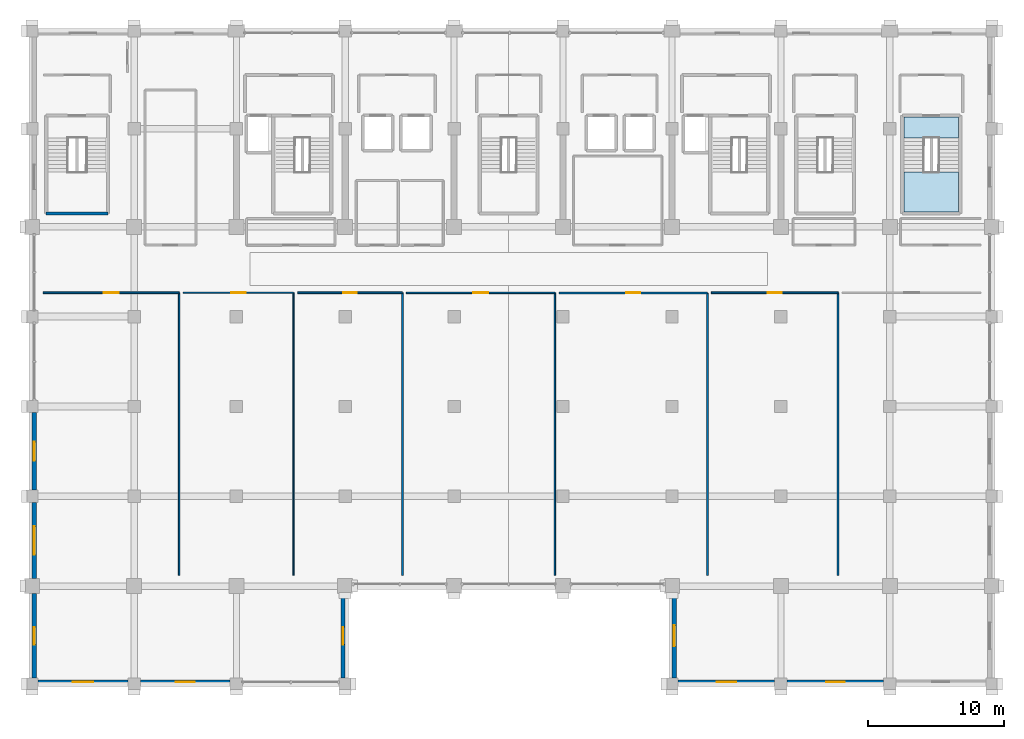
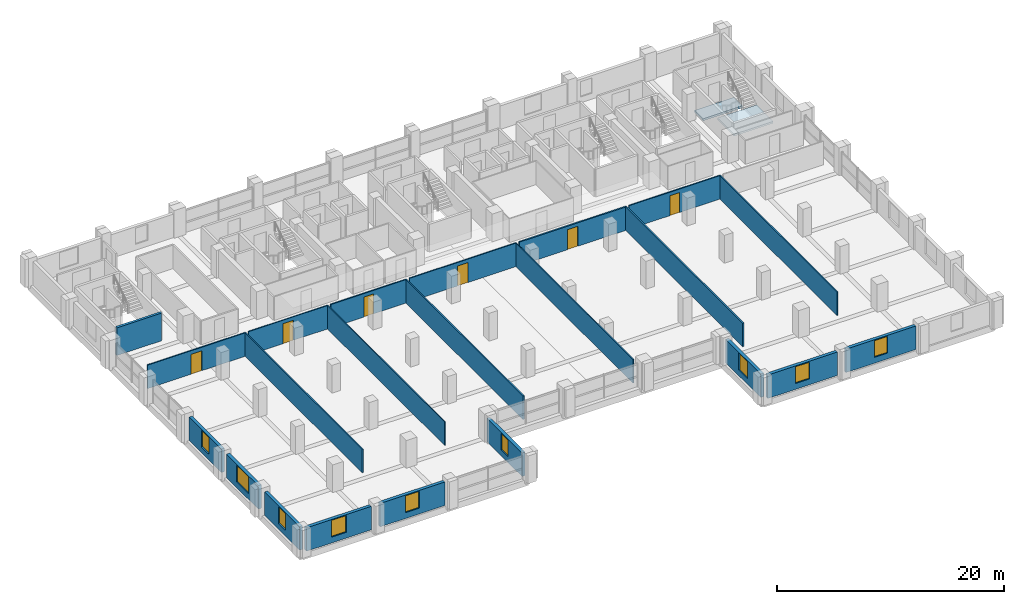
# One storey, part 16 of 21: 22 walls, 9 windows, 6 doors, 2 slabs, 15 openings, 1 element without a shape of its own.
"""IFC4 building model written with IfcOpenShell, lengths in metres."""

from ifc_helpers import new_model, si_unit, direction, frame, frame_2d, origin, place, context, subcontext, project, spatial, polyline, rectangle, outline, extrude, material, layer, layer_set, type_object, element, fill, aggregate, save


model = new_model("IFC4")

# Units and contexts
model_context = context("Model", 3, precision=1e-05, world=origin(), true_north=direction((0.0, 1.0)))
body_context = subcontext(model_context, "Body", "Model", "MODEL_VIEW")
ifc_project = project(units=[si_unit("LENGTHUNIT", "METRE"), si_unit("AREAUNIT", "SQUARE_METRE"), si_unit("VOLUMEUNIT", "CUBIC_METRE"), si_unit("PLANEANGLEUNIT", "RADIAN"), si_unit("MASSUNIT", "GRAM", prefix="KILO")], contexts=[model_context])

# Site, building, storey
site_placement = place(None, origin())
site = spatial("IfcSite", under=ifc_project, at=site_placement, CompositionType="ELEMENT")
building_placement = place(site_placement, origin())
building = spatial("IfcBuilding", under=site, at=building_placement, Name="Akrevak Sports Hall", CompositionType="ELEMENT")
storey_placement = place(building_placement, frame((0.0, 0.0, 27.550048828125)))
storey = spatial("IfcBuildingStorey", under=building, at=storey_placement, Name="L05", CompositionType="ELEMENT", Elevation=27.550048828125)

# Stair, slab
ifc_material_1 = material(Name="Concrete C40/50", Category="concrete")
stair_type = type_object("IfcStairType", Name="ARC-STR-DOG-325", PredefinedType="HALF_TURN_STAIR", material=ifc_material_1)
stair_placement = place(storey_placement, origin())
stair = element("IfcStair", 1, at=stair_placement, inside=storey, type_object=stair_type, Name="East Transfer Exit Stair ST11 (L05 to L06)", PredefinedType="HALF_TURN_STAIR")
ifc_layer_1 = layer(ifc_material_1, 0.199951171875, Name="Concrete C40/50")
ifc_layer_set_1 = layer_set([ifc_layer_1], Name="Concrete C40/50")
slab_type_1 = type_object("IfcSlabType", Name="STR-SLB-LAND-200", PredefinedType="LANDING", material=ifc_layer_set_1)
slab_1_placement = place(storey_placement, frame((0.0, 0.0, 1.425048828125)))
slab_1 = element("IfcSlab", 2, at=slab_1_placement, type_object=slab_type_1, Name="Stair ST11 Half-Landing 1 (L05)", PredefinedType="LANDING", context=body_context, shape_type="SweptSolid", body=[
    extrude(outline(polyline([(109.050048828125, 56.300048828125), (113.050048828125, 56.300048828125), (113.050048828125, 59.215087890625), (109.050048828125, 59.215087890625), (109.050048828125, 56.300048828125)])), origin(), (0.0, 0.0, 1.0), 0.199951171875),
])
aggregate(stair, [slab_1])

# Slab
ifc_layer_2 = layer(ifc_material_1, 0.219970703125, Name="Concrete C40/50")
ifc_layer_set_2 = layer_set([ifc_layer_2], Name="Concrete C40/50")
slab_type_2 = type_object("IfcSlabType", Name="STR-SLB-LAND-220", PredefinedType="LANDING", material=ifc_layer_set_2)
slab_2_placement = place(storey_placement, frame((0.0, 0.0, -0.219970703125)))
element("IfcSlab", 3, at=slab_2_placement, inside=storey, type_object=slab_type_2, Name="Stair ST11 Floor Landing (L05)", PredefinedType="LANDING", context=body_context, shape_type="SweptSolid", body=[
    extrude(outline(polyline([(109.050048828125, 61.735107421875), (113.050048828125, 61.735107421875), (113.050048828125, 63.25), (109.050048828125, 63.25), (109.050048828125, 61.735107421875)])), origin(), (0.0, 0.0, 1.0), 0.219970703125),
])

# Wall, opening, window
ifc_material_2 = material(Name="Limestone Ashlar", Category="stone")
ifc_layer_3 = layer(ifc_material_2, 0.070068359375, Name="Limestone Ashlar")
ifc_material_3 = material(Name="Mineral Wool Thermal Insulation", Category="insulation")
ifc_layer_4 = layer(ifc_material_3, 0.090087890625, Name="Mineral Wool Thermal Insulation")
ifc_layer_5 = layer(ifc_material_1, 0.159912109375, Name="Concrete C40/50")
ifc_layer_set_3 = layer_set([ifc_layer_3, ifc_layer_4, ifc_layer_5], Name="Limestone Ashlar / Mineral Wool Thermal Insulation / Concrete C40/50")
wall_type_1 = type_object("IfcWallType", Name="ARC-WL-EXT-320", PredefinedType="SOLIDWALL", material=ifc_layer_set_3)
wall_1_placement = place(storey_placement, frame((45.449951171875, 21.760009765625, 0.0), z_axis=(0.0, 0.0, 1.0), x_axis=(1.0, 0.0, 0.0)))
wall_1 = element("IfcWall", 4, at=wall_1_placement, inside=storey, type_object=wall_type_1, Name="Tower Stone Facade Wall L05-S01", PredefinedType="SOLIDWALL", context=body_context, shape_type="SweptSolid", body=[
    extrude(rectangle(XDim=6.60009765625, YDim=0.320068359375, at=frame_2d((3.300048828125, 0.0))), origin(), (0.0, 0.0, 1.0), 2.530029296875),
])
opening_1_placement = place(wall_1_placement, frame((2.550048828125, 0.0, 0.6201171875)))
opening_1 = element("IfcOpeningElement", 5, at=opening_1_placement, cuts=wall_1, Name="Opening WN-48", PredefinedType="OPENING", context=body_context, shape_type="SweptSolid", body=[
    extrude(rectangle(XDim=1.5, YDim=1.81005859375, at=frame_2d((0.75, 0.905029296875))), frame((0.0, 0.171875, 0.0), z_axis=(0.0, -1.0, 0.0), x_axis=(1.0, 0.0, 0.0)), (0.0, 0.0, 1.0), 0.343994140625),
])
ifc_material_4 = material(Name="Thermally Broken Bronze Frame & Double Low-E Glass", Category="glass")
window_type_1 = type_object("IfcWindowType", Name="ARC-WIN-SZ-1500x1810", PartitioningType="SINGLE_PANEL", PredefinedType="WINDOW", material=ifc_material_4)
window_1_placement = place(opening_1_placement, origin())
window_1 = element("IfcWindow", 6, at=window_1_placement, inside=storey, type_object=window_type_1, Name="Tower Window L05-S01", OverallHeight=1.81005859375, OverallWidth=1.5, PartitioningType="SINGLE_PANEL", PredefinedType="WINDOW", context=body_context, shape_type="SweptSolid", body=[
    extrude(rectangle(XDim=1.5, YDim=1.81005859375, at=frame_2d((0.75, 0.905029296875))), frame((0.0, 0.030029296875, 0.0), z_axis=(0.0, -1.0, 0.0), x_axis=(1.0, 0.0, 0.0)), (0.0, 0.0, 1.0), 0.06005859375),
])
fill(opening_1, window_1)

wall_2_placement = place(storey_placement, frame((52.949951171875, 21.760009765625, 0.0), z_axis=(0.0, 0.0, 1.0), x_axis=(1.0, 0.0, 0.0)))
wall_2 = element("IfcWall", 7, at=wall_2_placement, inside=storey, type_object=wall_type_1, Name="Tower Stone Facade Wall L05-S02", PredefinedType="SOLIDWALL", context=body_context, shape_type="SweptSolid", body=[
    extrude(rectangle(XDim=6.60009765625, YDim=0.320068359375, at=frame_2d((3.300048828125, 0.0))), origin(), (0.0, 0.0, 1.0), 2.530029296875),
])
opening_2_placement = place(wall_2_placement, frame((2.60009765625, 0.0, 0.6201171875)))
opening_2 = element("IfcOpeningElement", 8, at=opening_2_placement, cuts=wall_2, Name="Opening WN-49", PredefinedType="OPENING", context=body_context, shape_type="SweptSolid", body=[
    extrude(rectangle(XDim=1.39990234375, YDim=1.81005859375, at=frame_2d((0.699951171875, 0.905029296875))), frame((0.0, 0.171875, 0.0), z_axis=(0.0, -1.0, 0.0), x_axis=(1.0, 0.0, 0.0)), (0.0, 0.0, 1.0), 0.343994140625),
])
window_type_2 = type_object("IfcWindowType", Name="ARC-WIN-SZ-1400x1810", PartitioningType="SINGLE_PANEL", PredefinedType="WINDOW", material=ifc_material_4)
window_2_placement = place(opening_2_placement, origin())
window_2 = element("IfcWindow", 9, at=window_2_placement, inside=storey, type_object=window_type_2, Name="Tower Window L05-S02", OverallHeight=1.81005859375, OverallWidth=1.39990234375, PartitioningType="SINGLE_PANEL", PredefinedType="WINDOW", context=body_context, shape_type="SweptSolid", body=[
    extrude(rectangle(XDim=1.39990234375, YDim=1.81005859375, at=frame_2d((0.699951171875, 0.905029296875))), frame((0.0, 0.030029296875, 0.0), z_axis=(0.0, -1.0, 0.0), x_axis=(1.0, 0.0, 0.0)), (0.0, 0.0, 1.0), 0.06005859375),
])
fill(opening_2, window_2)

wall_3_placement = place(storey_placement, frame((67.840087890625, 22.050048828125, 0.0), z_axis=(0.0, 0.0, 1.0), x_axis=(0.0, 1.0, 0.0)))
wall_3 = element("IfcWall", 10, at=wall_3_placement, inside=storey, type_object=wall_type_1, Name="Tower Stone Facade Wall L05-E04", PredefinedType="SOLIDWALL", context=body_context, shape_type="SweptSolid", body=[
    extrude(rectangle(XDim=6.199951171875, YDim=0.320068359375, at=frame_2d((3.10009765625, 0.0))), origin(), (0.0, 0.0, 1.0), 2.530029296875),
])
opening_3_placement = place(wall_3_placement, frame((2.449951171875, 0.0, 0.6201171875)))
opening_3 = element("IfcOpeningElement", 11, at=opening_3_placement, cuts=wall_3, Name="Opening WN-12", PredefinedType="OPENING", context=body_context, shape_type="SweptSolid", body=[
    extrude(rectangle(XDim=1.300048828125, YDim=1.800048828125, at=frame_2d((0.64990234375, 0.89990234375))), frame((0.0, 0.171875, 0.0), z_axis=(0.0, -1.0, 0.0), x_axis=(1.0, 0.0, 0.0)), (0.0, 0.0, 1.0), 0.343994140625),
])
window_type_3 = type_object("IfcWindowType", Name="ARC-WIN-TW-130x180", PartitioningType="SINGLE_PANEL", PredefinedType="WINDOW", material=ifc_material_4)
window_3_placement = place(opening_3_placement, origin())
window_3 = element("IfcWindow", 12, at=window_3_placement, inside=storey, type_object=window_type_3, Name="Tower Window L05-E04", OverallHeight=1.800048828125, OverallWidth=1.300048828125, PartitioningType="SINGLE_PANEL", PredefinedType="WINDOW", context=body_context, shape_type="SweptSolid", body=[
    extrude(rectangle(XDim=1.300048828125, YDim=1.800048828125, at=frame_2d((0.64990234375, 0.89990234375))), frame((0.0, 0.030029296875, 0.0), z_axis=(0.0, -1.0, 0.0), x_axis=(1.0, 0.0, 0.0)), (0.0, 0.0, 1.0), 0.06005859375),
])
fill(opening_3, window_3)

wall_4_placement = place(storey_placement, frame((92.159912109375, 28.25, 0.0), z_axis=(0.0, 0.0, 1.0), x_axis=(0.0, -1.0, 0.0)))
wall_4 = element("IfcWall", 13, at=wall_4_placement, inside=storey, type_object=wall_type_1, Name="Tower Stone Facade Wall L05-W08", PredefinedType="SOLIDWALL", context=body_context, shape_type="SweptSolid", body=[
    extrude(rectangle(XDim=6.199951171875, YDim=0.320068359375, at=frame_2d((3.10009765625, 0.0))), origin(), (0.0, 0.0, 1.0), 2.530029296875),
])
opening_4_placement = place(wall_4_placement, frame((2.324951171875, 0.0, 0.6201171875)))
opening_4 = element("IfcOpeningElement", 14, at=opening_4_placement, cuts=wall_4, Name="Opening WN-50", PredefinedType="OPENING", context=body_context, shape_type="SweptSolid", body=[
    extrude(rectangle(XDim=1.550048828125, YDim=1.81005859375, at=frame_2d((0.77490234375, 0.905029296875))), frame((0.0, 0.171875, 0.0), z_axis=(0.0, -1.0, 0.0), x_axis=(1.0, 0.0, 0.0)), (0.0, 0.0, 1.0), 0.343994140625),
])
window_type_4 = type_object("IfcWindowType", Name="ARC-WIN-SZ-1550x1810", PartitioningType="SINGLE_PANEL", PredefinedType="WINDOW", material=ifc_material_4)
window_4_placement = place(opening_4_placement, origin())
window_4 = element("IfcWindow", 15, at=window_4_placement, inside=storey, type_object=window_type_4, Name="Tower Window L05-W08", OverallHeight=1.81005859375, OverallWidth=1.550048828125, PartitioningType="SINGLE_PANEL", PredefinedType="WINDOW", context=body_context, shape_type="SweptSolid", body=[
    extrude(rectangle(XDim=1.550048828125, YDim=1.81005859375, at=frame_2d((0.77490234375, 0.905029296875))), frame((0.0, 0.030029296875, 0.0), z_axis=(0.0, -1.0, 0.0), x_axis=(1.0, 0.0, 0.0)), (0.0, 0.0, 1.0), 0.06005859375),
])
fill(opening_4, window_4)

wall_5_placement = place(storey_placement, frame((92.449951171875, 21.760009765625, 0.0), z_axis=(0.0, 0.0, 1.0), x_axis=(1.0, 0.0, 0.0)))
wall_5 = element("IfcWall", 16, at=wall_5_placement, inside=storey, type_object=wall_type_1, Name="Tower Stone Facade Wall L05-S09", PredefinedType="SOLIDWALL", context=body_context, shape_type="SweptSolid", body=[
    extrude(rectangle(XDim=7.10009765625, YDim=0.320068359375, at=frame_2d((3.550048828125, 0.0))), origin(), (0.0, 0.0, 1.0), 2.530029296875),
])
opening_5_placement = place(wall_5_placement, frame((2.824951171875, 0.0, 0.6201171875)))
opening_5 = element("IfcOpeningElement", 17, at=opening_5_placement, cuts=wall_5, Name="Opening WN-51", PredefinedType="OPENING", context=body_context, shape_type="SweptSolid", body=[
    extrude(rectangle(XDim=1.449951171875, YDim=1.81005859375, at=frame_2d((0.72509765625, 0.905029296875))), frame((0.0, 0.171875, 0.0), z_axis=(0.0, -1.0, 0.0), x_axis=(1.0, 0.0, 0.0)), (0.0, 0.0, 1.0), 0.343994140625),
])
window_type_5 = type_object("IfcWindowType", Name="ARC-WIN-SZ-1450x1810", PartitioningType="SINGLE_PANEL", PredefinedType="WINDOW", material=ifc_material_4)
window_5_placement = place(opening_5_placement, origin())
window_5 = element("IfcWindow", 18, at=window_5_placement, inside=storey, type_object=window_type_5, Name="Tower Window L05-S09", OverallHeight=1.81005859375, OverallWidth=1.449951171875, PartitioningType="SINGLE_PANEL", PredefinedType="WINDOW", context=body_context, shape_type="SweptSolid", body=[
    extrude(rectangle(XDim=1.449951171875, YDim=1.81005859375, at=frame_2d((0.72509765625, 0.905029296875))), frame((0.0, 0.030029296875, 0.0), z_axis=(0.0, -1.0, 0.0), x_axis=(1.0, 0.0, 0.0)), (0.0, 0.0, 1.0), 0.06005859375),
])
fill(opening_5, window_5)

wall_6_placement = place(storey_placement, frame((100.449951171875, 21.760009765625, 0.0), z_axis=(0.0, 0.0, 1.0), x_axis=(1.0, 0.0, 0.0)))
wall_6 = element("IfcWall", 19, at=wall_6_placement, inside=storey, type_object=wall_type_1, Name="Tower Stone Facade Wall L05-S10", PredefinedType="SOLIDWALL", context=body_context, shape_type="SweptSolid", body=[
    extrude(rectangle(XDim=7.10009765625, YDim=0.320068359375, at=frame_2d((3.550048828125, 0.0))), origin(), (0.0, 0.0, 1.0), 2.530029296875),
])
opening_6_placement = place(wall_6_placement, frame((2.875, 0.0, 0.6201171875)))
opening_6 = element("IfcOpeningElement", 20, at=opening_6_placement, cuts=wall_6, Name="Opening WN-19", PredefinedType="OPENING", context=body_context, shape_type="SweptSolid", body=[
    extrude(rectangle(XDim=1.35009765625, YDim=1.800048828125, at=frame_2d((0.675048828125, 0.89990234375))), frame((0.0, 0.171875, 0.0), z_axis=(0.0, -1.0, 0.0), x_axis=(1.0, 0.0, 0.0)), (0.0, 0.0, 1.0), 0.343994140625),
])
window_type_6 = type_object("IfcWindowType", Name="ARC-WIN-TW-135x180", PartitioningType="SINGLE_PANEL", PredefinedType="WINDOW", material=ifc_material_4)
window_6_placement = place(opening_6_placement, origin())
window_6 = element("IfcWindow", 21, at=window_6_placement, inside=storey, type_object=window_type_6, Name="Tower Window L05-S10", OverallHeight=1.800048828125, OverallWidth=1.35009765625, PartitioningType="SINGLE_PANEL", PredefinedType="WINDOW", context=body_context, shape_type="SweptSolid", body=[
    extrude(rectangle(XDim=1.35009765625, YDim=1.800048828125, at=frame_2d((0.675048828125, 0.89990234375))), frame((0.0, 0.030029296875, 0.0), z_axis=(0.0, -1.0, 0.0), x_axis=(1.0, 0.0, 0.0)), (0.0, 0.0, 1.0), 0.06005859375),
])
fill(opening_6, window_6)

wall_7_placement = place(storey_placement, frame((45.159912109375, 41.550048828125, 0.0), z_axis=(0.0, 0.0, 1.0), x_axis=(0.0, -1.0, 0.0)))
wall_7 = element("IfcWall", 22, at=wall_7_placement, inside=storey, type_object=wall_type_1, Name="Tower Stone Facade Wall L05-W32", PredefinedType="SOLIDWALL", context=body_context, shape_type="SweptSolid", body=[
    extrude(rectangle(XDim=5.699951171875, YDim=0.320068359375, at=frame_2d((2.85009765625, 0.0))), origin(), (0.0, 0.0, 1.0), 2.530029296875),
])
opening_7_placement = place(wall_7_placement, frame((2.14990234375, 0.0, 0.6201171875)))
opening_7 = element("IfcOpeningElement", 23, at=opening_7_placement, cuts=wall_7, Name="Opening WN-49", PredefinedType="OPENING", context=body_context, shape_type="SweptSolid", body=[
    extrude(rectangle(XDim=1.39990234375, YDim=1.81005859375, at=frame_2d((0.699951171875, 0.905029296875))), frame((0.0, 0.171875, 0.0), z_axis=(0.0, -1.0, 0.0), x_axis=(1.0, 0.0, 0.0)), (0.0, 0.0, 1.0), 0.343994140625),
])
window_7_placement = place(opening_7_placement, origin())
window_7 = element("IfcWindow", 24, at=window_7_placement, inside=storey, type_object=window_type_2, Name="Tower Window L05-W32", OverallHeight=1.81005859375, OverallWidth=1.39990234375, PartitioningType="SINGLE_PANEL", PredefinedType="WINDOW", context=body_context, shape_type="SweptSolid", body=[
    extrude(rectangle(XDim=1.39990234375, YDim=1.81005859375, at=frame_2d((0.699951171875, 0.905029296875))), frame((0.0, 0.030029296875, 0.0), z_axis=(0.0, -1.0, 0.0), x_axis=(1.0, 0.0, 0.0)), (0.0, 0.0, 1.0), 0.06005859375),
])
fill(opening_7, window_7)

wall_8_placement = place(storey_placement, frame((45.159912109375, 34.949951171875, 0.0), z_axis=(0.0, 0.0, 1.0), x_axis=(0.0, -1.0, 0.0)))
wall_8 = element("IfcWall", 25, at=wall_8_placement, inside=storey, type_object=wall_type_1, Name="Tower Stone Facade Wall L05-W33", PredefinedType="SOLIDWALL", context=body_context, shape_type="SweptSolid", body=[
    extrude(rectangle(XDim=5.599853515625, YDim=0.320068359375, at=frame_2d((2.7998046875, 0.0))), origin(), (0.0, 0.0, 1.0), 2.530029296875),
])
opening_8_placement = place(wall_8_placement, frame((1.75, 0.0, 0.6201171875)))
opening_8 = element("IfcOpeningElement", 26, at=opening_8_placement, cuts=wall_8, Name="Opening WN-55", PredefinedType="OPENING", context=body_context, shape_type="SweptSolid", body=[
    extrude(rectangle(XDim=2.10009765625, YDim=1.81005859375, at=frame_2d((1.050048828125, 0.905029296875))), frame((0.0, 0.171875, 0.0), z_axis=(0.0, -1.0, 0.0), x_axis=(1.0, 0.0, 0.0)), (0.0, 0.0, 1.0), 0.343994140625),
])
window_type_7 = type_object("IfcWindowType", Name="ARC-WIN-SZ-2100x1810", PartitioningType="SINGLE_PANEL", PredefinedType="WINDOW", material=ifc_material_4)
window_8_placement = place(opening_8_placement, origin())
window_8 = element("IfcWindow", 27, at=window_8_placement, inside=storey, type_object=window_type_7, Name="Tower Window L05-W33", OverallHeight=1.81005859375, OverallWidth=2.10009765625, PartitioningType="SINGLE_PANEL", PredefinedType="WINDOW", context=body_context, shape_type="SweptSolid", body=[
    extrude(rectangle(XDim=2.10009765625, YDim=1.81005859375, at=frame_2d((1.050048828125, 0.905029296875))), frame((0.0, 0.030029296875, 0.0), z_axis=(0.0, -1.0, 0.0), x_axis=(1.0, 0.0, 0.0)), (0.0, 0.0, 1.0), 0.06005859375),
])
fill(opening_8, window_8)

wall_9_placement = place(storey_placement, frame((45.159912109375, 28.25, 0.0), z_axis=(0.0, 0.0, 1.0), x_axis=(0.0, -1.0, 0.0)))
wall_9 = element("IfcWall", 28, at=wall_9_placement, inside=storey, type_object=wall_type_1, Name="Tower Stone Facade Wall L05-W34", PredefinedType="SOLIDWALL", context=body_context, shape_type="SweptSolid", body=[
    extrude(rectangle(XDim=6.199951171875, YDim=0.320068359375, at=frame_2d((3.10009765625, 0.0))), origin(), (0.0, 0.0, 1.0), 2.530029296875),
])
opening_9_placement = place(wall_9_placement, frame((2.449951171875, 0.0, 0.6201171875)))
opening_9 = element("IfcOpeningElement", 29, at=opening_9_placement, cuts=wall_9, Name="Opening WN-12", PredefinedType="OPENING", context=body_context, shape_type="SweptSolid", body=[
    extrude(rectangle(XDim=1.300048828125, YDim=1.800048828125, at=frame_2d((0.64990234375, 0.89990234375))), frame((0.0, 0.171875, 0.0), z_axis=(0.0, -1.0, 0.0), x_axis=(1.0, 0.0, 0.0)), (0.0, 0.0, 1.0), 0.343994140625),
])
window_9_placement = place(opening_9_placement, origin())
window_9 = element("IfcWindow", 30, at=window_9_placement, inside=storey, type_object=window_type_3, Name="Tower Window L05-W34", OverallHeight=1.800048828125, OverallWidth=1.300048828125, PartitioningType="SINGLE_PANEL", PredefinedType="WINDOW", context=body_context, shape_type="SweptSolid", body=[
    extrude(rectangle(XDim=1.300048828125, YDim=1.800048828125, at=frame_2d((0.64990234375, 0.89990234375))), frame((0.0, 0.030029296875, 0.0), z_axis=(0.0, -1.0, 0.0), x_axis=(1.0, 0.0, 0.0)), (0.0, 0.0, 1.0), 0.06005859375),
])
fill(opening_9, window_9)

# Wall, opening, door
ifc_material_5 = material(Name="Sanitary Cubicle Partition", Category="gypsum")
ifc_layer_6 = layer(ifc_material_5, 0.10009765625, Name="Sanitary Cubicle Partition")
ifc_layer_set_4 = layer_set([ifc_layer_6], Name="Sanitary Cubicle Partition")
wall_type_2 = type_object("IfcWallType", Name="ARC-WL-PRT-100", PredefinedType="PARTITIONING", material=ifc_layer_set_4)
wall_10_placement = place(storey_placement, frame((56.10009765625, 50.35009765625, 0.0), z_axis=(0.0, 0.0, 1.0), x_axis=(1.0, 0.0, 0.0)))
wall_10 = element("IfcWall", 31, at=wall_10_placement, inside=storey, type_object=wall_type_2, Name="Interior Partition National Basketball Federation Office (L05) (N)", PredefinedType="PARTITIONING", context=body_context, shape_type="SweptSolid", body=[
    extrude(rectangle(XDim=8.099853515625, YDim=0.10009765625, at=frame_2d((4.0498046875, 0.0))), origin(), (0.0, 0.0, 1.0), 2.530029296875),
])
opening_10_placement = place(wall_10_placement, frame((3.52490234375, 0.0, 0.0)))
opening_10 = element("IfcOpeningElement", 32, at=opening_10_placement, cuts=wall_10, Name="Opening ID-05", PredefinedType="OPENING", context=body_context, shape_type="SweptSolid", body=[
    extrude(rectangle(XDim=1.050048828125, YDim=2.14990234375, at=frame_2d((0.52490234375, 1.074951171875))), frame((0.0, 0.06201171875, 0.0), z_axis=(0.0, -1.0, 0.0), x_axis=(1.0, 0.0, 0.0)), (0.0, 0.0, 1.0), 0.1240234375),
])
ifc_material_6 = material(Name="Hardwood Oak Acoustic Leaf", Category="wood")
door_type_1 = type_object("IfcDoorType", Name="ARC-DR-OFF-105x215", OperationType="NOTDEFINED", PredefinedType="DOOR", material=ifc_material_6)
door_1_placement = place(opening_10_placement, origin())
door_1 = element("IfcDoor", 33, at=door_1_placement, inside=storey, type_object=door_type_1, Name="Door to National Basketball Federation Office (L05)", OperationType="SINGLE_SWING_LEFT", OverallHeight=2.14990234375, OverallWidth=1.050048828125, PredefinedType="DOOR", context=body_context, shape_type="SweptSolid", body=[
    extrude(rectangle(XDim=1.050048828125, YDim=2.14990234375, at=frame_2d((0.52490234375, 1.074951171875))), frame((0.0, 0.02490234375, 0.0), z_axis=(0.0, -1.0, 0.0), x_axis=(1.0, 0.0, 0.0)), (0.0, 0.0, 1.0), 0.050048828125),
])
fill(opening_10, door_1)

# Wall
wall_11_placement = place(storey_placement, frame((64.199951171875, 29.60009765625, 0.0), z_axis=(0.0, 0.0, 1.0), x_axis=(0.0, 1.0, 0.0)))
element("IfcWall", 34, at=wall_11_placement, inside=storey, type_object=wall_type_2, Name="Interior Partition National Basketball Federation Office (L05) (E)", PredefinedType="PARTITIONING", context=body_context, shape_type="SweptSolid", body=[
    extrude(rectangle(XDim=20.75, YDim=0.10009765625, at=frame_2d((10.375, 0.0))), origin(), (0.0, 0.0, 1.0), 2.530029296875),
])

# Wall, opening, door
ifc_material_7 = material(Name="Lightweight Office Partition", Category="gypsum")
ifc_layer_7 = layer(ifc_material_7, 0.110107421875, Name="Lightweight Office Partition")
ifc_layer_set_5 = layer_set([ifc_layer_7], Name="Lightweight Office Partition")
wall_type_3 = type_object("IfcWallType", Name="ARC-WL-PRT-110", PredefinedType="PARTITIONING", material=ifc_layer_set_5)
wall_12_placement = place(storey_placement, frame((72.5, 50.35009765625, 0.0), z_axis=(0.0, 0.0, 1.0), x_axis=(1.0, 0.0, 0.0)))
wall_12 = element("IfcWall", 35, at=wall_12_placement, inside=storey, type_object=wall_type_3, Name="Interior Partition Sports Medicine Consultation Office (L05) (N)", PredefinedType="PARTITIONING", context=body_context, shape_type="SweptSolid", body=[
    extrude(rectangle(XDim=10.89990234375, YDim=0.110107421875, at=frame_2d((5.449951171875, 0.0))), origin(), (0.0, 0.0, 1.0), 2.530029296875),
])
opening_11_placement = place(wall_12_placement, frame((4.89990234375, 0.0, 0.0)))
opening_11 = element("IfcOpeningElement", 36, at=opening_11_placement, cuts=wall_12, Name="Opening ID-04", PredefinedType="OPENING", context=body_context, shape_type="SweptSolid", body=[
    extrude(rectangle(XDim=1.10009765625, YDim=2.14990234375, at=frame_2d((0.550048828125, 1.074951171875))), frame((0.0, 0.06689453125, 0.0), z_axis=(0.0, -1.0, 0.0), x_axis=(1.0, 0.0, 0.0)), (0.0, 0.0, 1.0), 0.134033203125),
])
door_type_2 = type_object("IfcDoorType", Name="ARC-DR-OFF-110x215", OperationType="NOTDEFINED", PredefinedType="DOOR", material=ifc_material_6)
door_2_placement = place(opening_11_placement, origin())
door_2 = element("IfcDoor", 37, at=door_2_placement, inside=storey, type_object=door_type_2, Name="Door to Sports Medicine Consultation Office (L05)", OperationType="SINGLE_SWING_LEFT", OverallHeight=2.14990234375, OverallWidth=1.10009765625, PredefinedType="DOOR", context=body_context, shape_type="SweptSolid", body=[
    extrude(rectangle(XDim=1.10009765625, YDim=2.14990234375, at=frame_2d((0.550048828125, 1.074951171875))), frame((0.0, 0.02490234375, 0.0), z_axis=(0.0, -1.0, 0.0), x_axis=(1.0, 0.0, 0.0)), (0.0, 0.0, 1.0), 0.050048828125),
])
fill(opening_11, door_2)

# Wall
wall_13_placement = place(storey_placement, frame((83.39990234375, 29.60009765625, 0.0), z_axis=(0.0, 0.0, 1.0), x_axis=(0.0, 1.0, 0.0)))
element("IfcWall", 38, at=wall_13_placement, inside=storey, type_object=wall_type_3, Name="Interior Partition Sports Medicine Consultation Office (L05) (E)", PredefinedType="PARTITIONING", context=body_context, shape_type="SweptSolid", body=[
    extrude(rectangle(XDim=20.75, YDim=0.110107421875, at=frame_2d((10.375, 0.0))), origin(), (0.0, 0.0, 1.0), 2.530029296875),
])

# Wall, opening, door
ifc_material_8 = material(Name="Standard Metal Stud Partition", Category="gypsum")
ifc_layer_8 = layer(ifc_material_8, 0.1201171875, Name="Standard Metal Stud Partition")
ifc_layer_set_6 = layer_set([ifc_layer_8], Name="Standard Metal Stud Partition")
wall_type_4 = type_object("IfcWallType", Name="ARC-WL-PRT-120", PredefinedType="PARTITIONING", material=ifc_layer_set_6)
wall_14_placement = place(storey_placement, frame((45.800048828125, 50.35009765625, 0.0), z_axis=(0.0, 0.0, 1.0), x_axis=(1.0, 0.0, 0.0)))
wall_14 = element("IfcWall", 39, at=wall_14_placement, inside=storey, type_object=wall_type_4, Name="Interior Partition National Aquatics Federation Office (L05) (N)", PredefinedType="PARTITIONING", context=body_context, shape_type="SweptSolid", body=[
    extrude(rectangle(XDim=10.0, YDim=0.1201171875, at=frame_2d((5.0, 0.0))), origin(), (0.0, 0.0, 1.0), 2.530029296875),
])
opening_12_placement = place(wall_14_placement, frame((4.449951171875, 0.0, 0.0)))
opening_12 = element("IfcOpeningElement", 40, at=opening_12_placement, cuts=wall_14, Name="Opening ID-04", PredefinedType="OPENING", context=body_context, shape_type="SweptSolid", body=[
    extrude(rectangle(XDim=1.10009765625, YDim=2.14990234375, at=frame_2d((0.550048828125, 1.074951171875))), frame((0.0, 0.072021484375, 0.0), z_axis=(0.0, -1.0, 0.0), x_axis=(1.0, 0.0, 0.0)), (0.0, 0.0, 1.0), 0.14404296875),
])
door_3_placement = place(opening_12_placement, frame((1.10009765625, 0.0, 0.0), z_axis=(0.0, 0.0, 1.0), x_axis=(-1.0, 0.0, 0.0)))
door_3 = element("IfcDoor", 41, at=door_3_placement, inside=storey, type_object=door_type_2, Name="Door to National Aquatics Federation Office (L05)", OperationType="SINGLE_SWING_RIGHT", OverallHeight=2.14990234375, OverallWidth=1.10009765625, PredefinedType="DOOR", context=body_context, shape_type="SweptSolid", body=[
    extrude(rectangle(XDim=1.10009765625, YDim=2.14990234375, at=frame_2d((0.550048828125, 1.074951171875))), frame((0.0, 0.02490234375, 0.0), z_axis=(0.0, -1.0, 0.0), x_axis=(1.0, 0.0, 0.0)), (0.0, 0.0, 1.0), 0.050048828125),
])
fill(opening_12, door_3)

# Wall
wall_15_placement = place(storey_placement, frame((55.800048828125, 29.60009765625, 0.0), z_axis=(0.0, 0.0, 1.0), x_axis=(0.0, 1.0, 0.0)))
element("IfcWall", 42, at=wall_15_placement, inside=storey, type_object=wall_type_4, Name="Interior Partition National Aquatics Federation Office (L05) (E)", PredefinedType="PARTITIONING", context=body_context, shape_type="SweptSolid", body=[
    extrude(rectangle(XDim=20.75, YDim=0.1201171875, at=frame_2d((10.375, 0.0))), origin(), (0.0, 0.0, 1.0), 2.530029296875),
])

# Wall, opening, door
wall_16_placement = place(storey_placement, frame((94.89990234375, 50.35009765625, 0.0), z_axis=(0.0, 0.0, 1.0), x_axis=(1.0, 0.0, 0.0)))
wall_16 = element("IfcWall", 43, at=wall_16_placement, inside=storey, type_object=wall_type_4, Name="Interior Partition National Handball Federation Office (L05) (N)", PredefinedType="PARTITIONING", context=body_context, shape_type="SweptSolid", body=[
    extrude(rectangle(XDim=9.300048828125, YDim=0.1201171875, at=frame_2d((4.64990234375, 0.0))), origin(), (0.0, 0.0, 1.0), 2.530029296875),
])
opening_13_placement = place(wall_16_placement, frame((4.14990234375, 0.0, 0.0)))
opening_13 = element("IfcOpeningElement", 44, at=opening_13_placement, cuts=wall_16, Name="Opening ID-06", PredefinedType="OPENING", context=body_context, shape_type="SweptSolid", body=[
    extrude(rectangle(XDim=1.0, YDim=2.14990234375, at=frame_2d((0.5, 1.074951171875))), frame((0.0, 0.072021484375, 0.0), z_axis=(0.0, -1.0, 0.0), x_axis=(1.0, 0.0, 0.0)), (0.0, 0.0, 1.0), 0.14404296875),
])
door_type_3 = type_object("IfcDoorType", Name="ARC-DR-OFF-100x215", OperationType="NOTDEFINED", PredefinedType="DOOR", material=ifc_material_6)
door_4_placement = place(opening_13_placement, origin())
door_4 = element("IfcDoor", 45, at=door_4_placement, inside=storey, type_object=door_type_3, Name="Door to National Handball Federation Office (L05)", OperationType="SINGLE_SWING_LEFT", OverallHeight=2.14990234375, OverallWidth=1.0, PredefinedType="DOOR", context=body_context, shape_type="SweptSolid", body=[
    extrude(rectangle(XDim=1.0, YDim=2.14990234375, at=frame_2d((0.5, 1.074951171875))), frame((0.0, 0.02490234375, 0.0), z_axis=(0.0, -1.0, 0.0), x_axis=(1.0, 0.0, 0.0)), (0.0, 0.0, 1.0), 0.050048828125),
])
fill(opening_13, door_4)

# Wall
wall_17_placement = place(storey_placement, frame((104.199951171875, 29.60009765625, 0.0), z_axis=(0.0, 0.0, 1.0), x_axis=(0.0, 1.0, 0.0)))
element("IfcWall", 46, at=wall_17_placement, inside=storey, type_object=wall_type_4, Name="Interior Partition National Handball Federation Office (L05) (E)", PredefinedType="PARTITIONING", context=body_context, shape_type="SweptSolid", body=[
    extrude(rectangle(XDim=20.75, YDim=0.1201171875, at=frame_2d((10.375, 0.0))), origin(), (0.0, 0.0, 1.0), 2.530029296875),
])

# Wall, opening, door
ifc_material_9 = material(Name="Acoustic Metal Stud Partition", Category="gypsum")
ifc_layer_9 = layer(ifc_material_9, 0.1298828125, Name="Acoustic Metal Stud Partition")
ifc_layer_set_7 = layer_set([ifc_layer_9], Name="Acoustic Metal Stud Partition")
wall_type_5 = type_object("IfcWallType", Name="ARC-WL-PRT-130", PredefinedType="PARTITIONING", material=ifc_layer_set_7)
wall_18_placement = place(storey_placement, frame((64.5, 50.35009765625, 0.0), z_axis=(0.0, 0.0, 1.0), x_axis=(1.0, 0.0, 0.0)))
wall_18 = element("IfcWall", 47, at=wall_18_placement, inside=storey, type_object=wall_type_5, Name="Interior Partition Federation Archive Library (L05) (N)", PredefinedType="PARTITIONING", context=body_context, shape_type="SweptSolid", body=[
    extrude(rectangle(XDim=7.699951171875, YDim=0.1298828125, at=frame_2d((3.85009765625, 0.0))), origin(), (0.0, 0.0, 1.0), 2.530029296875),
])
opening_14_placement = place(wall_18_placement, frame((3.35009765625, 0.0, 0.0)))
opening_14 = element("IfcOpeningElement", 48, at=opening_14_placement, cuts=wall_18, Name="Opening ID-06", PredefinedType="OPENING", context=body_context, shape_type="SweptSolid", body=[
    extrude(rectangle(XDim=1.0, YDim=2.14990234375, at=frame_2d((0.5, 1.074951171875))), frame((0.0, 0.076904296875, 0.0), z_axis=(0.0, -1.0, 0.0), x_axis=(1.0, 0.0, 0.0)), (0.0, 0.0, 1.0), 0.15380859375),
])
door_5_placement = place(opening_14_placement, frame((1.0, 0.0, 0.0), z_axis=(0.0, 0.0, 1.0), x_axis=(-1.0, 0.0, 0.0)))
door_5 = element("IfcDoor", 49, at=door_5_placement, inside=storey, type_object=door_type_3, Name="Door to Federation Archive Library (L05)", OperationType="SINGLE_SWING_RIGHT", OverallHeight=2.14990234375, OverallWidth=1.0, PredefinedType="DOOR", context=body_context, shape_type="SweptSolid", body=[
    extrude(rectangle(XDim=1.0, YDim=2.14990234375, at=frame_2d((0.5, 1.074951171875))), frame((0.0, 0.02490234375, 0.0), z_axis=(0.0, -1.0, 0.0), x_axis=(1.0, 0.0, 0.0)), (0.0, 0.0, 1.0), 0.050048828125),
])
fill(opening_14, door_5)

# Wall
wall_19_placement = place(storey_placement, frame((72.199951171875, 29.60009765625, 0.0), z_axis=(0.0, 0.0, 1.0), x_axis=(0.0, 1.0, 0.0)))
element("IfcWall", 50, at=wall_19_placement, inside=storey, type_object=wall_type_5, Name="Interior Partition Federation Archive Library (L05) (E)", PredefinedType="PARTITIONING", context=body_context, shape_type="SweptSolid", body=[
    extrude(rectangle(XDim=20.75, YDim=0.1298828125, at=frame_2d((10.375, 0.0))), origin(), (0.0, 0.0, 1.0), 2.530029296875),
])

# Wall, opening, door
ifc_material_10 = material(Name="Double Stud Acoustic Gypsum Partition", Category="gypsum")
ifc_layer_10 = layer(ifc_material_10, 0.14990234375, Name="Double Stud Acoustic Gypsum Partition")
ifc_layer_set_8 = layer_set([ifc_layer_10], Name="Double Stud Acoustic Gypsum Partition")
wall_type_6 = type_object("IfcWallType", Name="ARC-WL-PRT-150", PredefinedType="PARTITIONING", material=ifc_layer_set_8)
wall_20_placement = place(storey_placement, frame((83.699951171875, 50.35009765625, 0.0), z_axis=(0.0, 0.0, 1.0), x_axis=(1.0, 0.0, 0.0)))
wall_20 = element("IfcWall", 51, at=wall_20_placement, inside=storey, type_object=wall_type_6, Name="Interior Partition Physiotherapy Rehabilitation Studio (L05) (N)", PredefinedType="PARTITIONING", context=body_context, shape_type="SweptSolid", body=[
    extrude(rectangle(XDim=10.900146484375, YDim=0.14990234375, at=frame_2d((5.4501953125, 0.0))), origin(), (0.0, 0.0, 1.0), 2.530029296875),
])
opening_15_placement = place(wall_20_placement, frame((4.925048828125, 0.0, 0.0)))
opening_15 = element("IfcOpeningElement", 52, at=opening_15_placement, cuts=wall_20, Name="Opening ID-05", PredefinedType="OPENING", context=body_context, shape_type="SweptSolid", body=[
    extrude(rectangle(XDim=1.050048828125, YDim=2.14990234375, at=frame_2d((0.52490234375, 1.074951171875))), frame((0.0, 0.0869140625, 0.0), z_axis=(0.0, -1.0, 0.0), x_axis=(1.0, 0.0, 0.0)), (0.0, 0.0, 1.0), 0.173828125),
])
door_6_placement = place(opening_15_placement, frame((1.050048828125, 0.0, 0.0), z_axis=(0.0, 0.0, 1.0), x_axis=(-1.0, 0.0, 0.0)))
door_6 = element("IfcDoor", 53, at=door_6_placement, inside=storey, type_object=door_type_1, Name="Door to Physiotherapy Rehabilitation Studio (L05)", OperationType="SINGLE_SWING_RIGHT", OverallHeight=2.14990234375, OverallWidth=1.050048828125, PredefinedType="DOOR", context=body_context, shape_type="SweptSolid", body=[
    extrude(rectangle(XDim=1.050048828125, YDim=2.14990234375, at=frame_2d((0.52490234375, 1.074951171875))), frame((0.0, 0.02490234375, 0.0), z_axis=(0.0, -1.0, 0.0), x_axis=(1.0, 0.0, 0.0)), (0.0, 0.0, 1.0), 0.050048828125),
])
fill(opening_15, door_6)

# Walls
wall_21_placement = place(storey_placement, frame((94.60009765625, 29.60009765625, 0.0), z_axis=(0.0, 0.0, 1.0), x_axis=(0.0, 1.0, 0.0)))
element("IfcWall", 54, at=wall_21_placement, inside=storey, type_object=wall_type_6, Name="Interior Partition Physiotherapy Rehabilitation Studio (L05) (E)", PredefinedType="PARTITIONING", context=body_context, shape_type="SweptSolid", body=[
    extrude(rectangle(XDim=20.75, YDim=0.14990234375, at=frame_2d((10.375, 0.0))), origin(), (0.0, 0.0, 1.0), 2.530029296875),
])
ifc_material_11 = material(Name="Concrete C50/60", Category="concrete")
ifc_layer_11 = layer(ifc_material_11, 0.25, Name="Concrete C50/60")
ifc_layer_set_9 = layer_set([ifc_layer_11], Name="Concrete C50/60")
wall_type_7 = type_object("IfcWallType", Name="STR-WL-STAIR-250", PredefinedType="SHEAR", material=ifc_layer_set_9)
wall_22_placement = place(storey_placement, frame((46.02490234375, 56.175048828125, 0.0), z_axis=(0.0, 0.0, 1.0), x_axis=(1.0, 0.0, 0.0)))
element("IfcWall", 55, at=wall_22_placement, inside=storey, type_object=wall_type_7, Name="Stair Core ST4 Shear Wall S (L05)", PredefinedType="SHEAR", context=body_context, shape_type="SweptSolid", body=[
    extrude(rectangle(XDim=4.550048828125, YDim=0.25, at=frame_2d((2.27490234375, 0.0))), origin(), (0.0, 0.0, 1.0), 2.989990234375),
])

save(model, "model.ifc")
